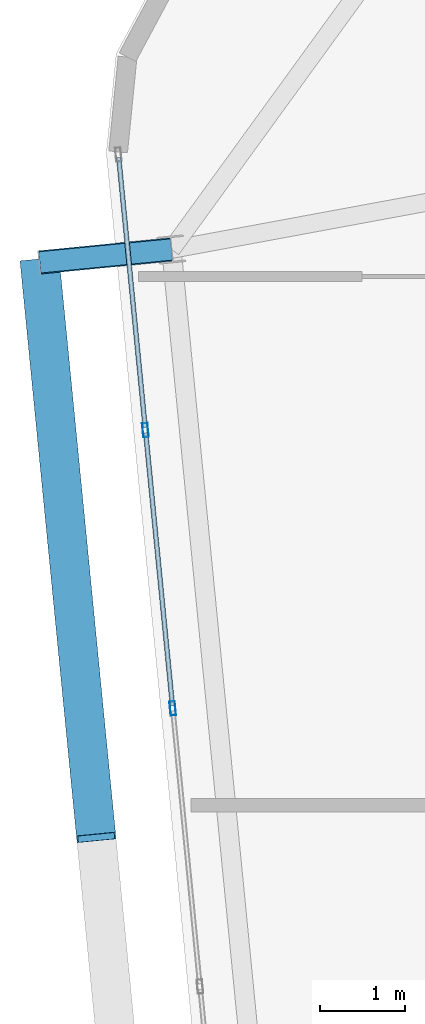
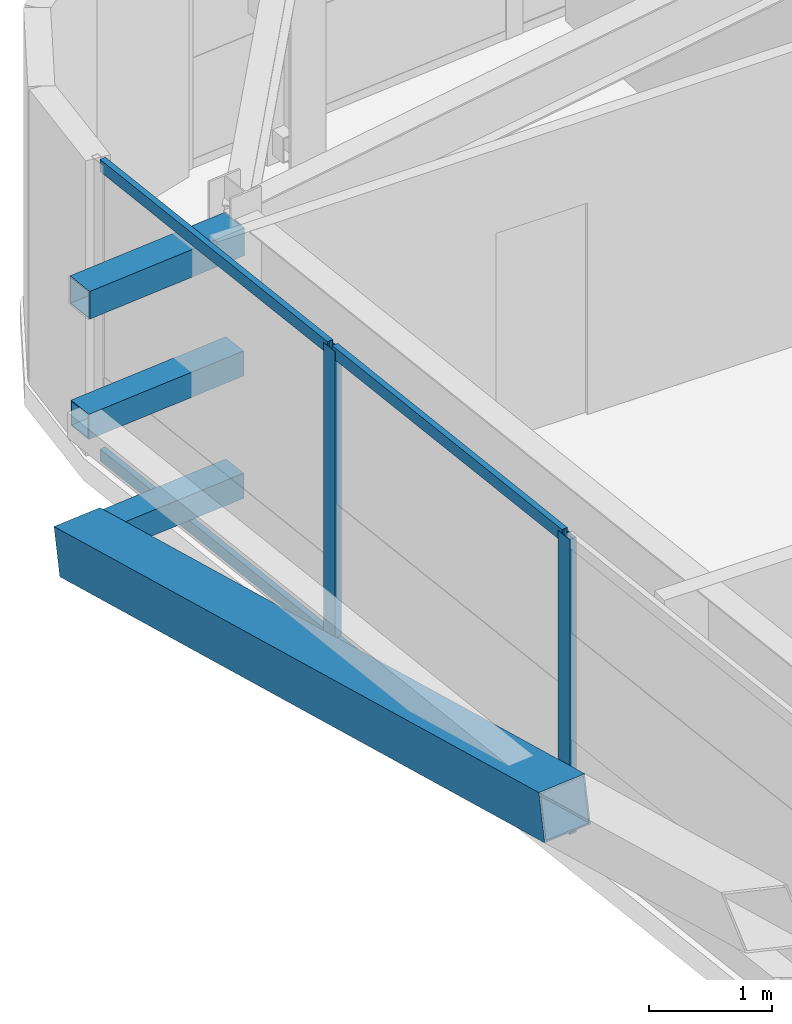
# One storey, part 15 of 53: 10 members, 1 element without a shape of its own.
"""IFC4 building model written with IfcOpenShell, lengths in metres."""

from ifc_helpers import new_model, si_unit, direction, frame, origin, origin_2d, place, context, subcontext, project, spatial, hollow_rectangle, extrude, source, transform, mapped, material, layer, layer_set, material_profile, profile_set, type_object, element, aggregate, save


model = new_model("IFC4")

# Units and contexts
model_context = context("Model", 3, precision=1e-05, world=origin(), true_north=direction((0.0, 1.0)))
body_context = subcontext(model_context, "Body", "Model", "MODEL_VIEW")
ifc_project = project(units=[si_unit("LENGTHUNIT", "METRE"), si_unit("AREAUNIT", "SQUARE_METRE"), si_unit("VOLUMEUNIT", "CUBIC_METRE"), si_unit("PLANEANGLEUNIT", "RADIAN"), si_unit("MASSUNIT", "GRAM", prefix="KILO")], contexts=[model_context])

# Site, building, storey
site_placement = place(None, origin())
site = spatial("IfcSite", under=ifc_project, at=site_placement, CompositionType="ELEMENT")
building_placement = place(site_placement, origin())
building = spatial("IfcBuilding", under=site, at=building_placement, Name="Taldren Reach Tower", CompositionType="ELEMENT")
storey_placement = place(building_placement, frame((0.0, 0.0, 80.85009765625)))
storey = spatial("IfcBuildingStorey", under=building, at=storey_placement, Name="L24", CompositionType="ELEMENT", Elevation=80.85009765625)

# Members
ifc_material_1 = material(Name="Steel Gr 450 (C450L0)", Category="steel")
ifc_material_profile_1 = material_profile(ifc_material_1, hollow_rectangle(XDim=0.27490234375, YDim=0.27490234375, WallThickness=0.00927734375, at=origin_2d()), Name="275x275x9.3SHS")
ifc_profile_set_1 = profile_set([ifc_material_profile_1], Name="Steel Gr 450 (C450L0)")
member_type_1 = type_object("IfcMemberType", Name="MB-TIE273", PredefinedType="STRUT", material=ifc_profile_set_1)
shared_shape_1 = source(origin(), body_context, "Body", "SweptSolid", [
    extrude(hollow_rectangle(XDim=0.27490234375, YDim=0.27490234375, WallThickness=0.00927734375, at=origin_2d()), origin(), (0.0, 0.0, 1.0), 1.550048828125),
])
member_1_placement = place(storey_placement, frame((8.808349609375, 30.116455078125, 2.64990234375), z_axis=(-0.9952210252, -0.097647892962, 0.0), x_axis=(0.097647892962, -0.9952210252, 0.0)))
element("IfcMember", 1, at=member_1_placement, inside=storey, type_object=member_type_1, Name="Exoskeleton diaphragm tie strut B2-W3 L24", PredefinedType="STRUT", context=body_context, shape_type="MappedRepresentation", body=[
    mapped(shared_shape_1, transform((0.0, 0.0, 0.0), scale=1.0)),
])
ifc_material_2 = material(Name="Steel Gr 350 (C350L0)", Category="steel")
ifc_material_profile_2 = material_profile(ifc_material_2, hollow_rectangle(XDim=0.25, YDim=0.25, WallThickness=0.010009765625, at=origin_2d()), Name="250x250x10.0SHS")
ifc_profile_set_2 = profile_set([ifc_material_profile_2], Name="Steel Gr 350 (C350L0)")
member_type_2 = type_object("IfcMemberType", Name="MB-POST250", PredefinedType="POST", material=ifc_profile_set_2)
shared_shape_2 = source(origin(), body_context, "Body", "SweptSolid", [
    extrude(hollow_rectangle(XDim=0.25, YDim=0.25, WallThickness=0.010009765625, at=origin_2d()), origin(), (0.0, 0.0, 1.0), 1.550048828125),
])
for number, where, z_axis, x_axis, name in (
    (2, (8.808349609375, 30.116455078125, 0.219970703125), (-0.9952210252, -0.097647892962, 0.0), (0.097647892962, -0.9952210252, 0.0), "Exoskeleton base diaphragm tie strut B2-W3 L24"),
    (3, (8.808349609375, 30.116455078125, 1.434814453125), (-0.9952210252, -0.097647892962, 0.0), (0.097647892962, -0.9952210252, 0.0), "Exoskeleton mid-tier diaphragm tie B2-W3 L24"),
):
    element("IfcMember", number, at=place(storey_placement, frame(where, z_axis=z_axis, x_axis=x_axis)), inside=storey, type_object=member_type_2, Name=name, PredefinedType="POST", context=body_context, shape_type="MappedRepresentation", body=[
        mapped(shared_shape_2, transform((0.0, 0.0, 0.0), scale=1.0)),
    ])
ifc_material_profile_3 = material_profile(ifc_material_1, hollow_rectangle(XDim=0.4599609375, YDim=0.4599609375, WallThickness=0.01611328125, at=origin_2d()), Name="460x460x16.0SHS")
ifc_profile_set_3 = profile_set([ifc_material_profile_3], Name="Steel Gr 450 (C450L0)")
member_type_3 = type_object("IfcMemberType", Name="MB-EXO457", PredefinedType="BRACE", material=ifc_profile_set_3)
shared_shape_3 = source(origin(), body_context, "Body", "SweptSolid", [
    extrude(hollow_rectangle(XDim=0.4599609375, YDim=0.4599609375, WallThickness=0.01611328125, at=origin_2d()), origin(), (0.0, 0.0, 1.0), 6.883056640625),
])
member_2_placement = place(storey_placement, frame((7.265625, 29.965087890625, 0.219970703125), z_axis=(0.096052059581, -0.979603316657, 0.176497432967), x_axis=(0.995227290009, 0.097584021339, 0.0)))
element("IfcMember", 4, at=member_2_placement, inside=storey, type_object=member_type_3, Name="Exoskeleton Diagrid Brace B2-W2 L24", PredefinedType="BRACE", context=body_context, shape_type="MappedRepresentation", body=[
    mapped(shared_shape_3, transform((0.0, 0.0, 0.0), scale=1.0)),
])

# Curtain wall, members
ifc_material_3 = material(Name="Aluminium and Low-E Glass Unitised System", Category="aluminium")
ifc_layer = layer(ifc_material_3, 0.159912109375)
ifc_layer_set = layer_set([ifc_layer], Name="Aluminium and Low-E Glass Unitised System")
curtain_wall_type = type_object("IfcCurtainWallType", Name="CW-SYS-3", PredefinedType="NOTDEFINED", material=ifc_layer_set)
curtain_wall_placement = place(storey_placement, origin())
curtain_wall = element("IfcCurtainWall", 5, at=curtain_wall_placement, inside=storey, type_object=curtain_wall_type, Name="Unitised curtain wall CW-L24-W", PredefinedType="NOTDEFINED")
ifc_material_4 = material(Name="Anodised Aluminium 6063-T6", Category="aluminium")
ifc_material_profile_4 = material_profile(ifc_material_4, hollow_rectangle(XDim=0.06494140625, YDim=0.1650390625, WallThickness=0.00390625, at=origin_2d()), Name="ALU-165x65x4RHS")
ifc_profile_set_4 = profile_set([ifc_material_profile_4], Name="Anodised Aluminium 6063-T6")
member_type_4 = type_object("IfcMemberType", Name="CW-MUL-165", PredefinedType="MULLION", material=ifc_profile_set_4)
shared_shape_4 = source(origin(), body_context, "Body", "SweptSolid", [
    extrude(hollow_rectangle(XDim=0.06494140625, YDim=0.1650390625, WallThickness=0.00390625, at=origin_2d()), origin(), (0.0, 0.0, 1.0), 2.929931640625),
])
member_3_placement = place(storey_placement, frame((8.50341796875, 27.998779296875, 0.0), z_axis=(0.0, 0.0, 1.0), x_axis=(0.99522741555, 0.09758274098, 0.0)))
member_3 = element("IfcMember", 6, at=member_3_placement, type_object=member_type_4, Name="CW-3 mullion 2", PredefinedType="MULLION", context=body_context, shape_type="MappedRepresentation", body=[
    mapped(shared_shape_4, transform((0.0, 0.0, 0.0), scale=1.0)),
])
member_4_placement = place(storey_placement, frame((8.8232421875, 24.736572265625, 0.0), z_axis=(0.0, 0.0, 1.0), x_axis=(0.99522741555, 0.09758274098, 0.0)))
member_4 = element("IfcMember", 7, at=member_4_placement, type_object=member_type_4, Name="CW-3 mullion 3", PredefinedType="MULLION", context=body_context, shape_type="MappedRepresentation", body=[
    mapped(shared_shape_4, transform((0.0, 0.0, 0.0), scale=1.0)),
])
ifc_material_profile_5 = material_profile(ifc_material_4, hollow_rectangle(XDim=0.054931640625, YDim=0.1201171875, WallThickness=0.0029296875, at=origin_2d()), Name="ALU-120x55x3RHS")
ifc_profile_set_5 = profile_set([ifc_material_profile_5], Name="Anodised Aluminium 6063-T6")
member_type_5 = type_object("IfcMemberType", Name="CW-TRN-135", PredefinedType="USERDEFINED", material=ifc_profile_set_5)
shared_shape_5 = source(origin(), body_context, "Body", "SweptSolid", [
    extrude(hollow_rectangle(XDim=0.054931640625, YDim=0.1201171875, WallThickness=0.0029296875, at=origin_2d()), origin(), (0.0, 0.0, 1.0), 3.18017578125),
])
member_5_placement = place(storey_placement, frame((8.18994140625, 31.1962890625, 0.02734375), z_axis=(0.097572914968, -0.995228378949, 0.0), x_axis=(0.995228378949, 0.097572914968, 0.0)))
member_5 = element("IfcMember", 8, at=member_5_placement, type_object=member_type_5, Name="CW-3 transom 1.1", ObjectType="TRANSOM", PredefinedType="USERDEFINED", context=body_context, shape_type="MappedRepresentation", body=[
    mapped(shared_shape_5, transform((0.0, 0.0, 0.0), scale=1.0)),
])
member_6_placement = place(storey_placement, frame((8.18994140625, 31.1962890625, 2.90234375), z_axis=(0.097572914968, -0.995228378949, 0.0), x_axis=(0.995228378949, 0.097572914968, 0.0)))
member_6 = element("IfcMember", 9, at=member_6_placement, type_object=member_type_5, Name="CW-3 transom 1.2", ObjectType="TRANSOM", PredefinedType="USERDEFINED", context=body_context, shape_type="MappedRepresentation", body=[
    mapped(shared_shape_5, transform((0.0, 0.0, 0.0), scale=1.0)),
])
shared_shape_6 = source(origin(), body_context, "Body", "SweptSolid", [
    extrude(hollow_rectangle(XDim=0.054931640625, YDim=0.1201171875, WallThickness=0.0029296875, at=origin_2d()), origin(), (0.0, 0.0, 1.0), 3.212890625),
])
member_7_placement = place(storey_placement, frame((8.506591796875, 27.966552734375, 0.02734375), z_axis=(0.097569948235, -0.995228669805, 0.0), x_axis=(0.995228669805, 0.097569948235, 0.0)))
member_7 = element("IfcMember", 10, at=member_7_placement, type_object=member_type_5, Name="CW-3 transom 2.1", ObjectType="TRANSOM", PredefinedType="USERDEFINED", context=body_context, shape_type="MappedRepresentation", body=[
    mapped(shared_shape_6, transform((0.0, 0.0, 0.0), scale=1.0)),
])
member_8_placement = place(storey_placement, frame((8.506591796875, 27.966552734375, 2.90234375), z_axis=(0.097569948235, -0.995228669805, 0.0), x_axis=(0.995228669805, 0.097569948235, 0.0)))
member_8 = element("IfcMember", 11, at=member_8_placement, type_object=member_type_5, Name="CW-3 transom 2.2", ObjectType="TRANSOM", PredefinedType="USERDEFINED", context=body_context, shape_type="MappedRepresentation", body=[
    mapped(shared_shape_6, transform((0.0, 0.0, 0.0), scale=1.0)),
])
aggregate(curtain_wall, [member_3, member_4, member_5, member_6, member_7, member_8])

save(model, "model.ifc")
